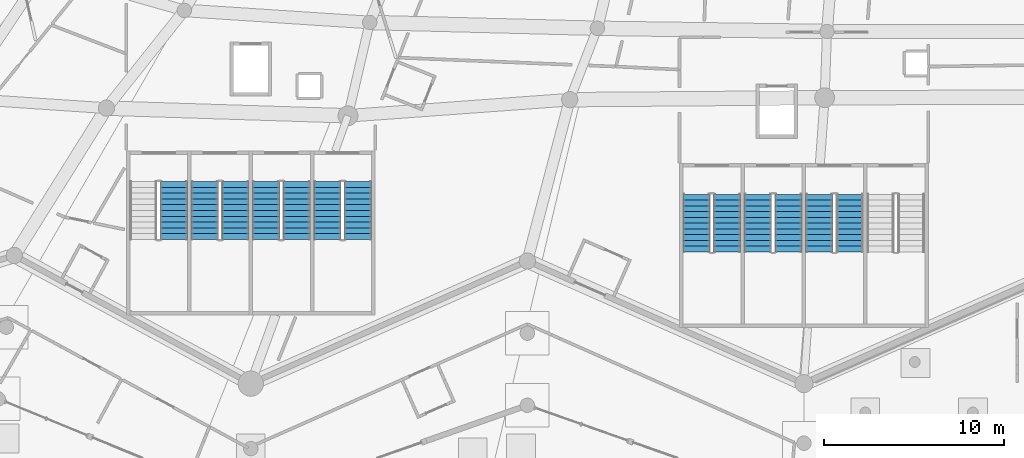
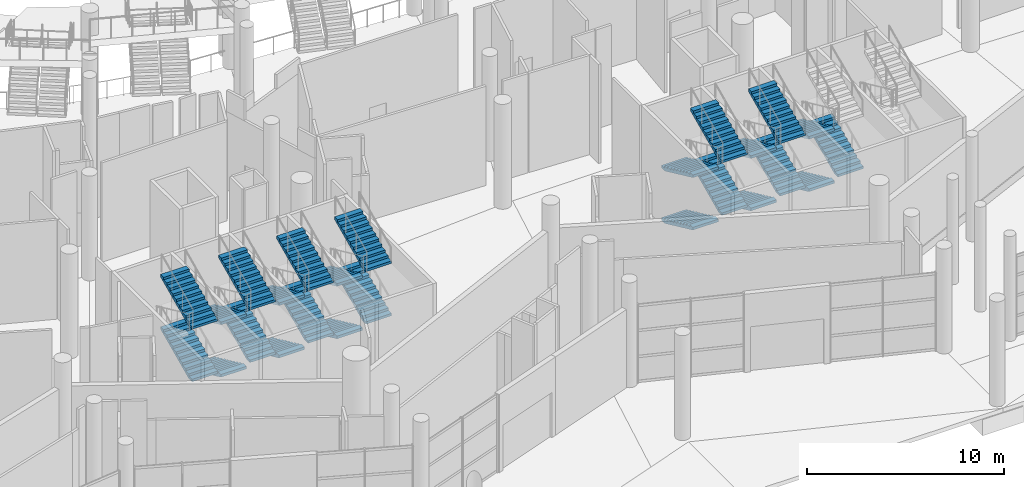
# One storey, part 161 of 255: 25 stair flights, 7 elements without a shape of their own.
"""IFC4 building model written with IfcOpenShell, lengths in metres."""

from ifc_helpers import new_model, si_unit, direction, frame, origin, place, context, subcontext, project, spatial, polyline, outline, extrude, material, type_object, element, aggregate, save


model = new_model("IFC4")

# Units and contexts
model_context = context("Model", 3, precision=1e-05, world=origin(), true_north=direction((0.0, 1.0)))
body_context = subcontext(model_context, "Body", "Model", "MODEL_VIEW")
ifc_project = project(units=[si_unit("LENGTHUNIT", "METRE"), si_unit("AREAUNIT", "SQUARE_METRE"), si_unit("VOLUMEUNIT", "CUBIC_METRE"), si_unit("PLANEANGLEUNIT", "RADIAN"), si_unit("MASSUNIT", "GRAM", prefix="KILO")], contexts=[model_context])

# Site, building, storey
site_placement = place(None, origin())
site = spatial("IfcSite", under=ifc_project, at=site_placement, CompositionType="ELEMENT")
building_placement = place(site_placement, origin())
building = spatial("IfcBuilding", under=site, at=building_placement, Name="Meseta Stadium", CompositionType="ELEMENT")
storey_placement = place(building_placement, origin())
storey = spatial("IfcBuildingStorey", under=building, at=storey_placement, Name="L00", CompositionType="ELEMENT", Elevation=0.0)

# Stair, stair flights
ifc_material_1 = material(Name="Concrete C40/50", Category="concrete")
stair_type = type_object("IfcStairType", Name="Exit stair 4 flights 148 mm risers", PredefinedType="HALF_TURN_STAIR", material=ifc_material_1)
stair_1_placement = place(storey_placement, origin())
stair_1 = element("IfcStair", 1, at=stair_1_placement, inside=storey, type_object=stair_type, Name="ST89 L00", PredefinedType="HALF_TURN_STAIR")
ifc_material_2 = material(Name="Concrete C40/50", Category="concrete")
stair_flight_type = type_object("IfcStairFlightType", Name="Exit stair flight 148 mm risers, 4 per storey", PredefinedType="STRAIGHT", material=ifc_material_2)
stair_flight_1_placement = place(storey_placement, frame((-42.583251953125, -97.39990234375, 1.625), z_axis=(0.0, 0.0, 1.0), x_axis=(0.0, 1.0, 0.0)))
stair_flight_1 = element("IfcStairFlight", 2, at=stair_flight_1_placement, type_object=stair_flight_type, Name="ST89 L00 flight 2", NumberOfRisers=11, NumberOfTreads=10, PredefinedType="STRAIGHT", RiserHeight=0.147727273, TreadLength=0.32, context=body_context, shape_type="SweptSolid", body=[
    extrude(outline(polyline([(0.0, 0.0), (0.0, 0.147705078125), (0.320068359375, 0.147705078125), (0.320068359375, 0.29541015625), (0.639892578125, 0.29541015625), (0.639892578125, 0.443115234375), (0.9599609375, 0.443115234375), (0.9599609375, 0.5908203125), (1.280029296875, 0.5908203125), (1.280029296875, 0.738525390625), (1.60009765625, 0.738525390625), (1.60009765625, 0.886474609375), (1.919921875, 0.886474609375), (1.919921875, 1.0341796875), (2.239990234375, 1.0341796875), (2.239990234375, 1.181884765625), (2.56005859375, 1.181884765625), (2.56005859375, 1.32958984375), (2.8798828125, 1.32958984375), (2.8798828125, 1.477294921875), (3.199951171875, 1.477294921875), (3.199951171875, 1.312255859375), (0.357666015625, 0.0), (0.0, 0.0)])), frame((0.0, 0.75, 0.0), z_axis=(0.0, -1.0, 0.0), x_axis=(1.0, 0.0, 0.0)), (0.0, 0.0, 1.0), 1.5),
])
stair_flight_2_placement = place(storey_placement, frame((-42.583251953125, -97.39990234375, 4.875), z_axis=(0.0, 0.0, 1.0), x_axis=(0.0, 1.0, 0.0)))
stair_flight_2 = element("IfcStairFlight", 3, at=stair_flight_2_placement, type_object=stair_flight_type, Name="ST89 L00 flight 4", NumberOfRisers=11, NumberOfTreads=10, PredefinedType="STRAIGHT", RiserHeight=0.147727273, TreadLength=0.32, context=body_context, shape_type="SweptSolid", body=[
    extrude(outline(polyline([(0.0, 0.0), (0.0, 0.147705078125), (0.320068359375, 0.147705078125), (0.320068359375, 0.29541015625), (0.639892578125, 0.29541015625), (0.639892578125, 0.443115234375), (0.9599609375, 0.443115234375), (0.9599609375, 0.5908203125), (1.280029296875, 0.5908203125), (1.280029296875, 0.738525390625), (1.60009765625, 0.738525390625), (1.60009765625, 0.886474609375), (1.919921875, 0.886474609375), (1.919921875, 1.0341796875), (2.239990234375, 1.0341796875), (2.239990234375, 1.181884765625), (2.56005859375, 1.181884765625), (2.56005859375, 1.32958984375), (2.8798828125, 1.32958984375), (2.8798828125, 1.477294921875), (3.199951171875, 1.477294921875), (3.199951171875, 1.312255859375), (0.357666015625, 0.0), (0.0, 0.0)])), frame((0.0, 0.75, 0.0), z_axis=(0.0, -1.0, 0.0), x_axis=(1.0, 0.0, 0.0)), (0.0, 0.0, 1.0), 1.5),
])
aggregate(stair_1, [stair_flight_1, stair_flight_2])

stair_2_placement = place(storey_placement, origin())
stair_2 = element("IfcStair", 4, at=stair_2_placement, inside=storey, type_object=stair_type, Name="ST90 L00", PredefinedType="HALF_TURN_STAIR")
stair_flight_3_placement = place(storey_placement, frame((-40.88330078125, -94.199951171875, 0.0), z_axis=(0.0, 0.0, 1.0), x_axis=(0.0, -1.0, 0.0)))
stair_flight_3 = element("IfcStairFlight", 5, at=stair_flight_3_placement, type_object=stair_flight_type, Name="ST90 L00 flight 1", NumberOfRisers=11, NumberOfTreads=10, PredefinedType="STRAIGHT", RiserHeight=0.147727273, TreadLength=0.32, context=body_context, shape_type="SweptSolid", body=[
    extrude(outline(polyline([(0.0, 0.0), (0.0, 0.147705078125), (0.320068359375, 0.147705078125), (0.320068359375, 0.29541015625), (0.639892578125, 0.29541015625), (0.639892578125, 0.443115234375), (0.9599609375, 0.443115234375), (0.9599609375, 0.5908203125), (1.280029296875, 0.5908203125), (1.280029296875, 0.738525390625), (1.60009765625, 0.738525390625), (1.60009765625, 0.886474609375), (1.919921875, 0.886474609375), (1.919921875, 1.0341796875), (2.239990234375, 1.0341796875), (2.239990234375, 1.181884765625), (2.56005859375, 1.181884765625), (2.56005859375, 1.32958984375), (2.8798828125, 1.32958984375), (2.8798828125, 1.477294921875), (3.199951171875, 1.477294921875), (3.199951171875, 1.312255859375), (0.357666015625, 0.0), (0.0, 0.0)])), frame((0.0, 0.75, 0.0), z_axis=(0.0, -1.0, 0.0), x_axis=(1.0, 0.0, 0.0)), (0.0, 0.0, 1.0), 1.5),
])
stair_flight_4_placement = place(storey_placement, frame((-39.183349609375, -97.39990234375, 1.625), z_axis=(0.0, 0.0, 1.0), x_axis=(0.0, 1.0, 0.0)))
stair_flight_4 = element("IfcStairFlight", 6, at=stair_flight_4_placement, type_object=stair_flight_type, Name="ST90 L00 flight 2", NumberOfRisers=11, NumberOfTreads=10, PredefinedType="STRAIGHT", RiserHeight=0.147727273, TreadLength=0.32, context=body_context, shape_type="SweptSolid", body=[
    extrude(outline(polyline([(0.0, 0.0), (0.0, 0.147705078125), (0.320068359375, 0.147705078125), (0.320068359375, 0.29541015625), (0.639892578125, 0.29541015625), (0.639892578125, 0.443115234375), (0.9599609375, 0.443115234375), (0.9599609375, 0.5908203125), (1.280029296875, 0.5908203125), (1.280029296875, 0.738525390625), (1.60009765625, 0.738525390625), (1.60009765625, 0.886474609375), (1.919921875, 0.886474609375), (1.919921875, 1.0341796875), (2.239990234375, 1.0341796875), (2.239990234375, 1.181884765625), (2.56005859375, 1.181884765625), (2.56005859375, 1.32958984375), (2.8798828125, 1.32958984375), (2.8798828125, 1.477294921875), (3.199951171875, 1.477294921875), (3.199951171875, 1.312255859375), (0.357666015625, 0.0), (0.0, 0.0)])), frame((0.0, 0.75, 0.0), z_axis=(0.0, -1.0, 0.0), x_axis=(1.0, 0.0, 0.0)), (0.0, 0.0, 1.0), 1.5),
])
stair_flight_5_placement = place(storey_placement, frame((-40.88330078125, -94.199951171875, 3.25), z_axis=(0.0, 0.0, 1.0), x_axis=(0.0, -1.0, 0.0)))
stair_flight_5 = element("IfcStairFlight", 7, at=stair_flight_5_placement, type_object=stair_flight_type, Name="ST90 L00 flight 3", NumberOfRisers=11, NumberOfTreads=10, PredefinedType="STRAIGHT", RiserHeight=0.147727273, TreadLength=0.32, context=body_context, shape_type="SweptSolid", body=[
    extrude(outline(polyline([(0.0, 0.0), (0.0, 0.147705078125), (0.320068359375, 0.147705078125), (0.320068359375, 0.29541015625), (0.639892578125, 0.29541015625), (0.639892578125, 0.443115234375), (0.9599609375, 0.443115234375), (0.9599609375, 0.5908203125), (1.280029296875, 0.5908203125), (1.280029296875, 0.738525390625), (1.60009765625, 0.738525390625), (1.60009765625, 0.886474609375), (1.919921875, 0.886474609375), (1.919921875, 1.0341796875), (2.239990234375, 1.0341796875), (2.239990234375, 1.181884765625), (2.56005859375, 1.181884765625), (2.56005859375, 1.32958984375), (2.8798828125, 1.32958984375), (2.8798828125, 1.477294921875), (3.199951171875, 1.477294921875), (3.199951171875, 1.312255859375), (0.357666015625, 0.0), (0.0, 0.0)])), frame((0.0, 0.75, 0.0), z_axis=(0.0, -1.0, 0.0), x_axis=(1.0, 0.0, 0.0)), (0.0, 0.0, 1.0), 1.5),
])
stair_flight_6_placement = place(storey_placement, frame((-39.183349609375, -97.39990234375, 4.875), z_axis=(0.0, 0.0, 1.0), x_axis=(0.0, 1.0, 0.0)))
stair_flight_6 = element("IfcStairFlight", 8, at=stair_flight_6_placement, type_object=stair_flight_type, Name="ST90 L00 flight 4", NumberOfRisers=11, NumberOfTreads=10, PredefinedType="STRAIGHT", RiserHeight=0.147727273, TreadLength=0.32, context=body_context, shape_type="SweptSolid", body=[
    extrude(outline(polyline([(0.0, 0.0), (0.0, 0.147705078125), (0.320068359375, 0.147705078125), (0.320068359375, 0.29541015625), (0.639892578125, 0.29541015625), (0.639892578125, 0.443115234375), (0.9599609375, 0.443115234375), (0.9599609375, 0.5908203125), (1.280029296875, 0.5908203125), (1.280029296875, 0.738525390625), (1.60009765625, 0.738525390625), (1.60009765625, 0.886474609375), (1.919921875, 0.886474609375), (1.919921875, 1.0341796875), (2.239990234375, 1.0341796875), (2.239990234375, 1.181884765625), (2.56005859375, 1.181884765625), (2.56005859375, 1.32958984375), (2.8798828125, 1.32958984375), (2.8798828125, 1.477294921875), (3.199951171875, 1.477294921875), (3.199951171875, 1.312255859375), (0.357666015625, 0.0), (0.0, 0.0)])), frame((0.0, 0.75, 0.0), z_axis=(0.0, -1.0, 0.0), x_axis=(1.0, 0.0, 0.0)), (0.0, 0.0, 1.0), 1.5),
])
aggregate(stair_2, [stair_flight_3, stair_flight_4, stair_flight_5, stair_flight_6])

stair_3_placement = place(storey_placement, origin())
stair_3 = element("IfcStair", 9, at=stair_3_placement, inside=storey, type_object=stair_type, Name="ST91 L00", PredefinedType="HALF_TURN_STAIR")
stair_flight_7_placement = place(storey_placement, frame((-37.4833984375, -94.199951171875, 0.0), z_axis=(0.0, 0.0, 1.0), x_axis=(0.0, -1.0, 0.0)))
stair_flight_7 = element("IfcStairFlight", 10, at=stair_flight_7_placement, type_object=stair_flight_type, Name="ST91 L00 flight 1", NumberOfRisers=11, NumberOfTreads=10, PredefinedType="STRAIGHT", RiserHeight=0.147727273, TreadLength=0.32, context=body_context, shape_type="SweptSolid", body=[
    extrude(outline(polyline([(0.0, 0.0), (0.0, 0.147705078125), (0.320068359375, 0.147705078125), (0.320068359375, 0.29541015625), (0.639892578125, 0.29541015625), (0.639892578125, 0.443115234375), (0.9599609375, 0.443115234375), (0.9599609375, 0.5908203125), (1.280029296875, 0.5908203125), (1.280029296875, 0.738525390625), (1.60009765625, 0.738525390625), (1.60009765625, 0.886474609375), (1.919921875, 0.886474609375), (1.919921875, 1.0341796875), (2.239990234375, 1.0341796875), (2.239990234375, 1.181884765625), (2.56005859375, 1.181884765625), (2.56005859375, 1.32958984375), (2.8798828125, 1.32958984375), (2.8798828125, 1.477294921875), (3.199951171875, 1.477294921875), (3.199951171875, 1.312255859375), (0.357666015625, 0.0), (0.0, 0.0)])), frame((0.0, 0.75, 0.0), z_axis=(0.0, -1.0, 0.0), x_axis=(1.0, 0.0, 0.0)), (0.0, 0.0, 1.0), 1.5),
])
stair_flight_8_placement = place(storey_placement, frame((-35.783447265625, -97.39990234375, 1.625), z_axis=(0.0, 0.0, 1.0), x_axis=(0.0, 1.0, 0.0)))
stair_flight_8 = element("IfcStairFlight", 11, at=stair_flight_8_placement, type_object=stair_flight_type, Name="ST91 L00 flight 2", NumberOfRisers=11, NumberOfTreads=10, PredefinedType="STRAIGHT", RiserHeight=0.147727273, TreadLength=0.32, context=body_context, shape_type="SweptSolid", body=[
    extrude(outline(polyline([(0.0, 0.0), (0.0, 0.147705078125), (0.320068359375, 0.147705078125), (0.320068359375, 0.29541015625), (0.639892578125, 0.29541015625), (0.639892578125, 0.443115234375), (0.9599609375, 0.443115234375), (0.9599609375, 0.5908203125), (1.280029296875, 0.5908203125), (1.280029296875, 0.738525390625), (1.60009765625, 0.738525390625), (1.60009765625, 0.886474609375), (1.919921875, 0.886474609375), (1.919921875, 1.0341796875), (2.239990234375, 1.0341796875), (2.239990234375, 1.181884765625), (2.56005859375, 1.181884765625), (2.56005859375, 1.32958984375), (2.8798828125, 1.32958984375), (2.8798828125, 1.477294921875), (3.199951171875, 1.477294921875), (3.199951171875, 1.312255859375), (0.357666015625, 0.0), (0.0, 0.0)])), frame((0.0, 0.75, 0.0), z_axis=(0.0, -1.0, 0.0), x_axis=(1.0, 0.0, 0.0)), (0.0, 0.0, 1.0), 1.5),
])
stair_flight_9_placement = place(storey_placement, frame((-37.4833984375, -94.199951171875, 3.25), z_axis=(0.0, 0.0, 1.0), x_axis=(0.0, -1.0, 0.0)))
stair_flight_9 = element("IfcStairFlight", 12, at=stair_flight_9_placement, type_object=stair_flight_type, Name="ST91 L00 flight 3", NumberOfRisers=11, NumberOfTreads=10, PredefinedType="STRAIGHT", RiserHeight=0.147727273, TreadLength=0.32, context=body_context, shape_type="SweptSolid", body=[
    extrude(outline(polyline([(0.0, 0.0), (0.0, 0.147705078125), (0.320068359375, 0.147705078125), (0.320068359375, 0.29541015625), (0.639892578125, 0.29541015625), (0.639892578125, 0.443115234375), (0.9599609375, 0.443115234375), (0.9599609375, 0.5908203125), (1.280029296875, 0.5908203125), (1.280029296875, 0.738525390625), (1.60009765625, 0.738525390625), (1.60009765625, 0.886474609375), (1.919921875, 0.886474609375), (1.919921875, 1.0341796875), (2.239990234375, 1.0341796875), (2.239990234375, 1.181884765625), (2.56005859375, 1.181884765625), (2.56005859375, 1.32958984375), (2.8798828125, 1.32958984375), (2.8798828125, 1.477294921875), (3.199951171875, 1.477294921875), (3.199951171875, 1.312255859375), (0.357666015625, 0.0), (0.0, 0.0)])), frame((0.0, 0.75, 0.0), z_axis=(0.0, -1.0, 0.0), x_axis=(1.0, 0.0, 0.0)), (0.0, 0.0, 1.0), 1.5),
])
stair_flight_10_placement = place(storey_placement, frame((-35.783447265625, -97.39990234375, 4.875), z_axis=(0.0, 0.0, 1.0), x_axis=(0.0, 1.0, 0.0)))
stair_flight_10 = element("IfcStairFlight", 13, at=stair_flight_10_placement, type_object=stair_flight_type, Name="ST91 L00 flight 4", NumberOfRisers=11, NumberOfTreads=10, PredefinedType="STRAIGHT", RiserHeight=0.147727273, TreadLength=0.32, context=body_context, shape_type="SweptSolid", body=[
    extrude(outline(polyline([(0.0, 0.0), (0.0, 0.147705078125), (0.320068359375, 0.147705078125), (0.320068359375, 0.29541015625), (0.639892578125, 0.29541015625), (0.639892578125, 0.443115234375), (0.9599609375, 0.443115234375), (0.9599609375, 0.5908203125), (1.280029296875, 0.5908203125), (1.280029296875, 0.738525390625), (1.60009765625, 0.738525390625), (1.60009765625, 0.886474609375), (1.919921875, 0.886474609375), (1.919921875, 1.0341796875), (2.239990234375, 1.0341796875), (2.239990234375, 1.181884765625), (2.56005859375, 1.181884765625), (2.56005859375, 1.32958984375), (2.8798828125, 1.32958984375), (2.8798828125, 1.477294921875), (3.199951171875, 1.477294921875), (3.199951171875, 1.312255859375), (0.357666015625, 0.0), (0.0, 0.0)])), frame((0.0, 0.75, 0.0), z_axis=(0.0, -1.0, 0.0), x_axis=(1.0, 0.0, 0.0)), (0.0, 0.0, 1.0), 1.5),
])
aggregate(stair_3, [stair_flight_7, stair_flight_8, stair_flight_9, stair_flight_10])

stair_4_placement = place(storey_placement, origin())
stair_4 = element("IfcStair", 14, at=stair_4_placement, inside=storey, type_object=stair_type, Name="ST92 L00", PredefinedType="HALF_TURN_STAIR")
stair_flight_11_placement = place(storey_placement, frame((-34.083251953125, -94.199951171875, 0.0), z_axis=(0.0, 0.0, 1.0), x_axis=(0.0, -1.0, 0.0)))
stair_flight_11 = element("IfcStairFlight", 15, at=stair_flight_11_placement, type_object=stair_flight_type, Name="ST92 L00 flight 1", NumberOfRisers=11, NumberOfTreads=10, PredefinedType="STRAIGHT", RiserHeight=0.147727273, TreadLength=0.32, context=body_context, shape_type="SweptSolid", body=[
    extrude(outline(polyline([(0.0, 0.0), (0.0, 0.147705078125), (0.320068359375, 0.147705078125), (0.320068359375, 0.29541015625), (0.639892578125, 0.29541015625), (0.639892578125, 0.443115234375), (0.9599609375, 0.443115234375), (0.9599609375, 0.5908203125), (1.280029296875, 0.5908203125), (1.280029296875, 0.738525390625), (1.60009765625, 0.738525390625), (1.60009765625, 0.886474609375), (1.919921875, 0.886474609375), (1.919921875, 1.0341796875), (2.239990234375, 1.0341796875), (2.239990234375, 1.181884765625), (2.56005859375, 1.181884765625), (2.56005859375, 1.32958984375), (2.8798828125, 1.32958984375), (2.8798828125, 1.477294921875), (3.199951171875, 1.477294921875), (3.199951171875, 1.312255859375), (0.357666015625, 0.0), (0.0, 0.0)])), frame((0.0, 0.75, 0.0), z_axis=(0.0, -1.0, 0.0), x_axis=(1.0, 0.0, 0.0)), (0.0, 0.0, 1.0), 1.5),
])
stair_flight_12_placement = place(storey_placement, frame((-32.38330078125, -97.39990234375, 1.625), z_axis=(0.0, 0.0, 1.0), x_axis=(0.0, 1.0, 0.0)))
stair_flight_12 = element("IfcStairFlight", 16, at=stair_flight_12_placement, type_object=stair_flight_type, Name="ST92 L00 flight 2", NumberOfRisers=11, NumberOfTreads=10, PredefinedType="STRAIGHT", RiserHeight=0.147727273, TreadLength=0.32, context=body_context, shape_type="SweptSolid", body=[
    extrude(outline(polyline([(0.0, 0.0), (0.0, 0.147705078125), (0.320068359375, 0.147705078125), (0.320068359375, 0.29541015625), (0.639892578125, 0.29541015625), (0.639892578125, 0.443115234375), (0.9599609375, 0.443115234375), (0.9599609375, 0.5908203125), (1.280029296875, 0.5908203125), (1.280029296875, 0.738525390625), (1.60009765625, 0.738525390625), (1.60009765625, 0.886474609375), (1.919921875, 0.886474609375), (1.919921875, 1.0341796875), (2.239990234375, 1.0341796875), (2.239990234375, 1.181884765625), (2.56005859375, 1.181884765625), (2.56005859375, 1.32958984375), (2.8798828125, 1.32958984375), (2.8798828125, 1.477294921875), (3.199951171875, 1.477294921875), (3.199951171875, 1.312255859375), (0.357666015625, 0.0), (0.0, 0.0)])), frame((0.0, 0.75, 0.0), z_axis=(0.0, -1.0, 0.0), x_axis=(1.0, 0.0, 0.0)), (0.0, 0.0, 1.0), 1.5),
])
stair_flight_13_placement = place(storey_placement, frame((-34.083251953125, -94.199951171875, 3.25), z_axis=(0.0, 0.0, 1.0), x_axis=(0.0, -1.0, 0.0)))
stair_flight_13 = element("IfcStairFlight", 17, at=stair_flight_13_placement, type_object=stair_flight_type, Name="ST92 L00 flight 3", NumberOfRisers=11, NumberOfTreads=10, PredefinedType="STRAIGHT", RiserHeight=0.147727273, TreadLength=0.32, context=body_context, shape_type="SweptSolid", body=[
    extrude(outline(polyline([(0.0, 0.0), (0.0, 0.147705078125), (0.320068359375, 0.147705078125), (0.320068359375, 0.29541015625), (0.639892578125, 0.29541015625), (0.639892578125, 0.443115234375), (0.9599609375, 0.443115234375), (0.9599609375, 0.5908203125), (1.280029296875, 0.5908203125), (1.280029296875, 0.738525390625), (1.60009765625, 0.738525390625), (1.60009765625, 0.886474609375), (1.919921875, 0.886474609375), (1.919921875, 1.0341796875), (2.239990234375, 1.0341796875), (2.239990234375, 1.181884765625), (2.56005859375, 1.181884765625), (2.56005859375, 1.32958984375), (2.8798828125, 1.32958984375), (2.8798828125, 1.477294921875), (3.199951171875, 1.477294921875), (3.199951171875, 1.312255859375), (0.357666015625, 0.0), (0.0, 0.0)])), frame((0.0, 0.75, 0.0), z_axis=(0.0, -1.0, 0.0), x_axis=(1.0, 0.0, 0.0)), (0.0, 0.0, 1.0), 1.5),
])
stair_flight_14_placement = place(storey_placement, frame((-32.38330078125, -97.39990234375, 4.875), z_axis=(0.0, 0.0, 1.0), x_axis=(0.0, 1.0, 0.0)))
stair_flight_14 = element("IfcStairFlight", 18, at=stair_flight_14_placement, type_object=stair_flight_type, Name="ST92 L00 flight 4", NumberOfRisers=11, NumberOfTreads=10, PredefinedType="STRAIGHT", RiserHeight=0.147727273, TreadLength=0.32, context=body_context, shape_type="SweptSolid", body=[
    extrude(outline(polyline([(0.0, 0.0), (0.0, 0.147705078125), (0.320068359375, 0.147705078125), (0.320068359375, 0.29541015625), (0.639892578125, 0.29541015625), (0.639892578125, 0.443115234375), (0.9599609375, 0.443115234375), (0.9599609375, 0.5908203125), (1.280029296875, 0.5908203125), (1.280029296875, 0.738525390625), (1.60009765625, 0.738525390625), (1.60009765625, 0.886474609375), (1.919921875, 0.886474609375), (1.919921875, 1.0341796875), (2.239990234375, 1.0341796875), (2.239990234375, 1.181884765625), (2.56005859375, 1.181884765625), (2.56005859375, 1.32958984375), (2.8798828125, 1.32958984375), (2.8798828125, 1.477294921875), (3.199951171875, 1.477294921875), (3.199951171875, 1.312255859375), (0.357666015625, 0.0), (0.0, 0.0)])), frame((0.0, 0.75, 0.0), z_axis=(0.0, -1.0, 0.0), x_axis=(1.0, 0.0, 0.0)), (0.0, 0.0, 1.0), 1.5),
])
aggregate(stair_4, [stair_flight_11, stair_flight_12, stair_flight_13, stair_flight_14])

stair_5_placement = place(storey_placement, origin())
stair_5 = element("IfcStair", 19, at=stair_5_placement, inside=storey, type_object=stair_type, Name="ST93 L00", PredefinedType="HALF_TURN_STAIR")
stair_flight_15_placement = place(storey_placement, frame((-13.61669921875, -94.89990234375, 0.0), z_axis=(0.0, 0.0, 1.0), x_axis=(0.0, -1.0, 0.0)))
stair_flight_15 = element("IfcStairFlight", 20, at=stair_flight_15_placement, type_object=stair_flight_type, Name="ST93 L00 flight 1", NumberOfRisers=11, NumberOfTreads=10, PredefinedType="STRAIGHT", RiserHeight=0.147727273, TreadLength=0.32, context=body_context, shape_type="SweptSolid", body=[
    extrude(outline(polyline([(0.0, 0.0), (0.0, 0.147705078125), (0.320068359375, 0.147705078125), (0.320068359375, 0.29541015625), (0.639892578125, 0.29541015625), (0.639892578125, 0.443115234375), (0.9599609375, 0.443115234375), (0.9599609375, 0.5908203125), (1.280029296875, 0.5908203125), (1.280029296875, 0.738525390625), (1.60009765625, 0.738525390625), (1.60009765625, 0.886474609375), (1.919921875, 0.886474609375), (1.919921875, 1.0341796875), (2.239990234375, 1.0341796875), (2.239990234375, 1.181884765625), (2.56005859375, 1.181884765625), (2.56005859375, 1.32958984375), (2.8798828125, 1.32958984375), (2.8798828125, 1.477294921875), (3.199951171875, 1.477294921875), (3.199951171875, 1.312255859375), (0.357666015625, 0.0), (0.0, 0.0)])), frame((0.0, 0.75, 0.0), z_axis=(0.0, -1.0, 0.0), x_axis=(1.0, 0.0, 0.0)), (0.0, 0.0, 1.0), 1.5),
])
stair_flight_16_placement = place(storey_placement, frame((-11.916748046875, -98.10009765625, 1.625), z_axis=(0.0, 0.0, 1.0), x_axis=(0.0, 1.0, 0.0)))
stair_flight_16 = element("IfcStairFlight", 21, at=stair_flight_16_placement, type_object=stair_flight_type, Name="ST93 L00 flight 2", NumberOfRisers=11, NumberOfTreads=10, PredefinedType="STRAIGHT", RiserHeight=0.147727273, TreadLength=0.32, context=body_context, shape_type="SweptSolid", body=[
    extrude(outline(polyline([(0.0, 0.0), (0.0, 0.147705078125), (0.320068359375, 0.147705078125), (0.320068359375, 0.29541015625), (0.639892578125, 0.29541015625), (0.639892578125, 0.443115234375), (0.9599609375, 0.443115234375), (0.9599609375, 0.5908203125), (1.280029296875, 0.5908203125), (1.280029296875, 0.738525390625), (1.60009765625, 0.738525390625), (1.60009765625, 0.886474609375), (1.919921875, 0.886474609375), (1.919921875, 1.0341796875), (2.239990234375, 1.0341796875), (2.239990234375, 1.181884765625), (2.56005859375, 1.181884765625), (2.56005859375, 1.32958984375), (2.8798828125, 1.32958984375), (2.8798828125, 1.477294921875), (3.199951171875, 1.477294921875), (3.199951171875, 1.312255859375), (0.357666015625, 0.0), (0.0, 0.0)])), frame((0.0, 0.75, 0.0), z_axis=(0.0, -1.0, 0.0), x_axis=(1.0, 0.0, 0.0)), (0.0, 0.0, 1.0), 1.5),
])
stair_flight_17_placement = place(storey_placement, frame((-13.61669921875, -94.89990234375, 3.25), z_axis=(0.0, 0.0, 1.0), x_axis=(0.0, -1.0, 0.0)))
stair_flight_17 = element("IfcStairFlight", 22, at=stair_flight_17_placement, type_object=stair_flight_type, Name="ST93 L00 flight 3", NumberOfRisers=11, NumberOfTreads=10, PredefinedType="STRAIGHT", RiserHeight=0.147727273, TreadLength=0.32, context=body_context, shape_type="SweptSolid", body=[
    extrude(outline(polyline([(0.0, 0.0), (0.0, 0.147705078125), (0.320068359375, 0.147705078125), (0.320068359375, 0.29541015625), (0.639892578125, 0.29541015625), (0.639892578125, 0.443115234375), (0.9599609375, 0.443115234375), (0.9599609375, 0.5908203125), (1.280029296875, 0.5908203125), (1.280029296875, 0.738525390625), (1.60009765625, 0.738525390625), (1.60009765625, 0.886474609375), (1.919921875, 0.886474609375), (1.919921875, 1.0341796875), (2.239990234375, 1.0341796875), (2.239990234375, 1.181884765625), (2.56005859375, 1.181884765625), (2.56005859375, 1.32958984375), (2.8798828125, 1.32958984375), (2.8798828125, 1.477294921875), (3.199951171875, 1.477294921875), (3.199951171875, 1.312255859375), (0.357666015625, 0.0), (0.0, 0.0)])), frame((0.0, 0.75, 0.0), z_axis=(0.0, -1.0, 0.0), x_axis=(1.0, 0.0, 0.0)), (0.0, 0.0, 1.0), 1.5),
])
stair_flight_18_placement = place(storey_placement, frame((-11.916748046875, -98.10009765625, 4.875), z_axis=(0.0, 0.0, 1.0), x_axis=(0.0, 1.0, 0.0)))
stair_flight_18 = element("IfcStairFlight", 23, at=stair_flight_18_placement, type_object=stair_flight_type, Name="ST93 L00 flight 4", NumberOfRisers=11, NumberOfTreads=10, PredefinedType="STRAIGHT", RiserHeight=0.147727273, TreadLength=0.32, context=body_context, shape_type="SweptSolid", body=[
    extrude(outline(polyline([(0.0, 0.0), (0.0, 0.147705078125), (0.320068359375, 0.147705078125), (0.320068359375, 0.29541015625), (0.639892578125, 0.29541015625), (0.639892578125, 0.443115234375), (0.9599609375, 0.443115234375), (0.9599609375, 0.5908203125), (1.280029296875, 0.5908203125), (1.280029296875, 0.738525390625), (1.60009765625, 0.738525390625), (1.60009765625, 0.886474609375), (1.919921875, 0.886474609375), (1.919921875, 1.0341796875), (2.239990234375, 1.0341796875), (2.239990234375, 1.181884765625), (2.56005859375, 1.181884765625), (2.56005859375, 1.32958984375), (2.8798828125, 1.32958984375), (2.8798828125, 1.477294921875), (3.199951171875, 1.477294921875), (3.199951171875, 1.312255859375), (0.357666015625, 0.0), (0.0, 0.0)])), frame((0.0, 0.75, 0.0), z_axis=(0.0, -1.0, 0.0), x_axis=(1.0, 0.0, 0.0)), (0.0, 0.0, 1.0), 1.5),
])
aggregate(stair_5, [stair_flight_15, stair_flight_16, stair_flight_17, stair_flight_18])

stair_6_placement = place(storey_placement, origin())
stair_6 = element("IfcStair", 24, at=stair_6_placement, inside=storey, type_object=stair_type, Name="ST94 L00", PredefinedType="HALF_TURN_STAIR")
stair_flight_19_placement = place(storey_placement, frame((-10.216552734375, -94.89990234375, 0.0), z_axis=(0.0, 0.0, 1.0), x_axis=(0.0, -1.0, 0.0)))
stair_flight_19 = element("IfcStairFlight", 25, at=stair_flight_19_placement, type_object=stair_flight_type, Name="ST94 L00 flight 1", NumberOfRisers=11, NumberOfTreads=10, PredefinedType="STRAIGHT", RiserHeight=0.147727273, TreadLength=0.32, context=body_context, shape_type="SweptSolid", body=[
    extrude(outline(polyline([(0.0, 0.0), (0.0, 0.147705078125), (0.320068359375, 0.147705078125), (0.320068359375, 0.29541015625), (0.639892578125, 0.29541015625), (0.639892578125, 0.443115234375), (0.9599609375, 0.443115234375), (0.9599609375, 0.5908203125), (1.280029296875, 0.5908203125), (1.280029296875, 0.738525390625), (1.60009765625, 0.738525390625), (1.60009765625, 0.886474609375), (1.919921875, 0.886474609375), (1.919921875, 1.0341796875), (2.239990234375, 1.0341796875), (2.239990234375, 1.181884765625), (2.56005859375, 1.181884765625), (2.56005859375, 1.32958984375), (2.8798828125, 1.32958984375), (2.8798828125, 1.477294921875), (3.199951171875, 1.477294921875), (3.199951171875, 1.312255859375), (0.357666015625, 0.0), (0.0, 0.0)])), frame((0.0, 0.75, 0.0), z_axis=(0.0, -1.0, 0.0), x_axis=(1.0, 0.0, 0.0)), (0.0, 0.0, 1.0), 1.5),
])
stair_flight_20_placement = place(storey_placement, frame((-8.5166015625, -98.10009765625, 1.625), z_axis=(0.0, 0.0, 1.0), x_axis=(0.0, 1.0, 0.0)))
stair_flight_20 = element("IfcStairFlight", 26, at=stair_flight_20_placement, type_object=stair_flight_type, Name="ST94 L00 flight 2", NumberOfRisers=11, NumberOfTreads=10, PredefinedType="STRAIGHT", RiserHeight=0.147727273, TreadLength=0.32, context=body_context, shape_type="SweptSolid", body=[
    extrude(outline(polyline([(0.0, 0.0), (0.0, 0.147705078125), (0.320068359375, 0.147705078125), (0.320068359375, 0.29541015625), (0.639892578125, 0.29541015625), (0.639892578125, 0.443115234375), (0.9599609375, 0.443115234375), (0.9599609375, 0.5908203125), (1.280029296875, 0.5908203125), (1.280029296875, 0.738525390625), (1.60009765625, 0.738525390625), (1.60009765625, 0.886474609375), (1.919921875, 0.886474609375), (1.919921875, 1.0341796875), (2.239990234375, 1.0341796875), (2.239990234375, 1.181884765625), (2.56005859375, 1.181884765625), (2.56005859375, 1.32958984375), (2.8798828125, 1.32958984375), (2.8798828125, 1.477294921875), (3.199951171875, 1.477294921875), (3.199951171875, 1.312255859375), (0.357666015625, 0.0), (0.0, 0.0)])), frame((0.0, 0.75, 0.0), z_axis=(0.0, -1.0, 0.0), x_axis=(1.0, 0.0, 0.0)), (0.0, 0.0, 1.0), 1.5),
])
stair_flight_21_placement = place(storey_placement, frame((-10.216552734375, -94.89990234375, 3.25), z_axis=(0.0, 0.0, 1.0), x_axis=(0.0, -1.0, 0.0)))
stair_flight_21 = element("IfcStairFlight", 27, at=stair_flight_21_placement, type_object=stair_flight_type, Name="ST94 L00 flight 3", NumberOfRisers=11, NumberOfTreads=10, PredefinedType="STRAIGHT", RiserHeight=0.147727273, TreadLength=0.32, context=body_context, shape_type="SweptSolid", body=[
    extrude(outline(polyline([(0.0, 0.0), (0.0, 0.147705078125), (0.320068359375, 0.147705078125), (0.320068359375, 0.29541015625), (0.639892578125, 0.29541015625), (0.639892578125, 0.443115234375), (0.9599609375, 0.443115234375), (0.9599609375, 0.5908203125), (1.280029296875, 0.5908203125), (1.280029296875, 0.738525390625), (1.60009765625, 0.738525390625), (1.60009765625, 0.886474609375), (1.919921875, 0.886474609375), (1.919921875, 1.0341796875), (2.239990234375, 1.0341796875), (2.239990234375, 1.181884765625), (2.56005859375, 1.181884765625), (2.56005859375, 1.32958984375), (2.8798828125, 1.32958984375), (2.8798828125, 1.477294921875), (3.199951171875, 1.477294921875), (3.199951171875, 1.312255859375), (0.357666015625, 0.0), (0.0, 0.0)])), frame((0.0, 0.75, 0.0), z_axis=(0.0, -1.0, 0.0), x_axis=(1.0, 0.0, 0.0)), (0.0, 0.0, 1.0), 1.5),
])
stair_flight_22_placement = place(storey_placement, frame((-8.5166015625, -98.10009765625, 4.875), z_axis=(0.0, 0.0, 1.0), x_axis=(0.0, 1.0, 0.0)))
stair_flight_22 = element("IfcStairFlight", 28, at=stair_flight_22_placement, type_object=stair_flight_type, Name="ST94 L00 flight 4", NumberOfRisers=11, NumberOfTreads=10, PredefinedType="STRAIGHT", RiserHeight=0.147727273, TreadLength=0.32, context=body_context, shape_type="SweptSolid", body=[
    extrude(outline(polyline([(0.0, 0.0), (0.0, 0.147705078125), (0.320068359375, 0.147705078125), (0.320068359375, 0.29541015625), (0.639892578125, 0.29541015625), (0.639892578125, 0.443115234375), (0.9599609375, 0.443115234375), (0.9599609375, 0.5908203125), (1.280029296875, 0.5908203125), (1.280029296875, 0.738525390625), (1.60009765625, 0.738525390625), (1.60009765625, 0.886474609375), (1.919921875, 0.886474609375), (1.919921875, 1.0341796875), (2.239990234375, 1.0341796875), (2.239990234375, 1.181884765625), (2.56005859375, 1.181884765625), (2.56005859375, 1.32958984375), (2.8798828125, 1.32958984375), (2.8798828125, 1.477294921875), (3.199951171875, 1.477294921875), (3.199951171875, 1.312255859375), (0.357666015625, 0.0), (0.0, 0.0)])), frame((0.0, 0.75, 0.0), z_axis=(0.0, -1.0, 0.0), x_axis=(1.0, 0.0, 0.0)), (0.0, 0.0, 1.0), 1.5),
])
aggregate(stair_6, [stair_flight_19, stair_flight_20, stair_flight_21, stair_flight_22])

stair_7_placement = place(storey_placement, origin())
stair_7 = element("IfcStair", 29, at=stair_7_placement, inside=storey, type_object=stair_type, Name="ST95 L00", PredefinedType="HALF_TURN_STAIR")
stair_flight_23_placement = place(storey_placement, frame((-6.816650390625, -94.89990234375, 0.0), z_axis=(0.0, 0.0, 1.0), x_axis=(0.0, -1.0, 0.0)))
stair_flight_23 = element("IfcStairFlight", 30, at=stair_flight_23_placement, type_object=stair_flight_type, Name="ST95 L00 flight 1", NumberOfRisers=11, NumberOfTreads=10, PredefinedType="STRAIGHT", RiserHeight=0.147727273, TreadLength=0.32, context=body_context, shape_type="SweptSolid", body=[
    extrude(outline(polyline([(0.0, 0.0), (0.0, 0.147705078125), (0.320068359375, 0.147705078125), (0.320068359375, 0.29541015625), (0.639892578125, 0.29541015625), (0.639892578125, 0.443115234375), (0.9599609375, 0.443115234375), (0.9599609375, 0.5908203125), (1.280029296875, 0.5908203125), (1.280029296875, 0.738525390625), (1.60009765625, 0.738525390625), (1.60009765625, 0.886474609375), (1.919921875, 0.886474609375), (1.919921875, 1.0341796875), (2.239990234375, 1.0341796875), (2.239990234375, 1.181884765625), (2.56005859375, 1.181884765625), (2.56005859375, 1.32958984375), (2.8798828125, 1.32958984375), (2.8798828125, 1.477294921875), (3.199951171875, 1.477294921875), (3.199951171875, 1.312255859375), (0.357666015625, 0.0), (0.0, 0.0)])), frame((0.0, 0.75, 0.0), z_axis=(0.0, -1.0, 0.0), x_axis=(1.0, 0.0, 0.0)), (0.0, 0.0, 1.0), 1.5),
])
stair_flight_24_placement = place(storey_placement, frame((-5.11669921875, -98.10009765625, 1.625), z_axis=(0.0, 0.0, 1.0), x_axis=(0.0, 1.0, 0.0)))
stair_flight_24 = element("IfcStairFlight", 31, at=stair_flight_24_placement, type_object=stair_flight_type, Name="ST95 L00 flight 2", NumberOfRisers=11, NumberOfTreads=10, PredefinedType="STRAIGHT", RiserHeight=0.147727273, TreadLength=0.32, context=body_context, shape_type="SweptSolid", body=[
    extrude(outline(polyline([(0.0, 0.0), (0.0, 0.147705078125), (0.320068359375, 0.147705078125), (0.320068359375, 0.29541015625), (0.639892578125, 0.29541015625), (0.639892578125, 0.443115234375), (0.9599609375, 0.443115234375), (0.9599609375, 0.5908203125), (1.280029296875, 0.5908203125), (1.280029296875, 0.738525390625), (1.60009765625, 0.738525390625), (1.60009765625, 0.886474609375), (1.919921875, 0.886474609375), (1.919921875, 1.0341796875), (2.239990234375, 1.0341796875), (2.239990234375, 1.181884765625), (2.56005859375, 1.181884765625), (2.56005859375, 1.32958984375), (2.8798828125, 1.32958984375), (2.8798828125, 1.477294921875), (3.199951171875, 1.477294921875), (3.199951171875, 1.312255859375), (0.357666015625, 0.0), (0.0, 0.0)])), frame((0.0, 0.75, 0.0), z_axis=(0.0, -1.0, 0.0), x_axis=(1.0, 0.0, 0.0)), (0.0, 0.0, 1.0), 1.5),
])
stair_flight_25_placement = place(storey_placement, frame((-6.816650390625, -94.89990234375, 3.25), z_axis=(0.0, 0.0, 1.0), x_axis=(0.0, -1.0, 0.0)))
stair_flight_25 = element("IfcStairFlight", 32, at=stair_flight_25_placement, type_object=stair_flight_type, Name="ST95 L00 flight 3", NumberOfRisers=11, NumberOfTreads=10, PredefinedType="STRAIGHT", RiserHeight=0.147727273, TreadLength=0.32, context=body_context, shape_type="SweptSolid", body=[
    extrude(outline(polyline([(0.0, 0.0), (0.0, 0.147705078125), (0.320068359375, 0.147705078125), (0.320068359375, 0.29541015625), (0.639892578125, 0.29541015625), (0.639892578125, 0.443115234375), (0.9599609375, 0.443115234375), (0.9599609375, 0.5908203125), (1.280029296875, 0.5908203125), (1.280029296875, 0.738525390625), (1.60009765625, 0.738525390625), (1.60009765625, 0.886474609375), (1.919921875, 0.886474609375), (1.919921875, 1.0341796875), (2.239990234375, 1.0341796875), (2.239990234375, 1.181884765625), (2.56005859375, 1.181884765625), (2.56005859375, 1.32958984375), (2.8798828125, 1.32958984375), (2.8798828125, 1.477294921875), (3.199951171875, 1.477294921875), (3.199951171875, 1.312255859375), (0.357666015625, 0.0), (0.0, 0.0)])), frame((0.0, 0.75, 0.0), z_axis=(0.0, -1.0, 0.0), x_axis=(1.0, 0.0, 0.0)), (0.0, 0.0, 1.0), 1.5),
])
aggregate(stair_7, [stair_flight_23, stair_flight_24, stair_flight_25])

save(model, "model.ifc")
